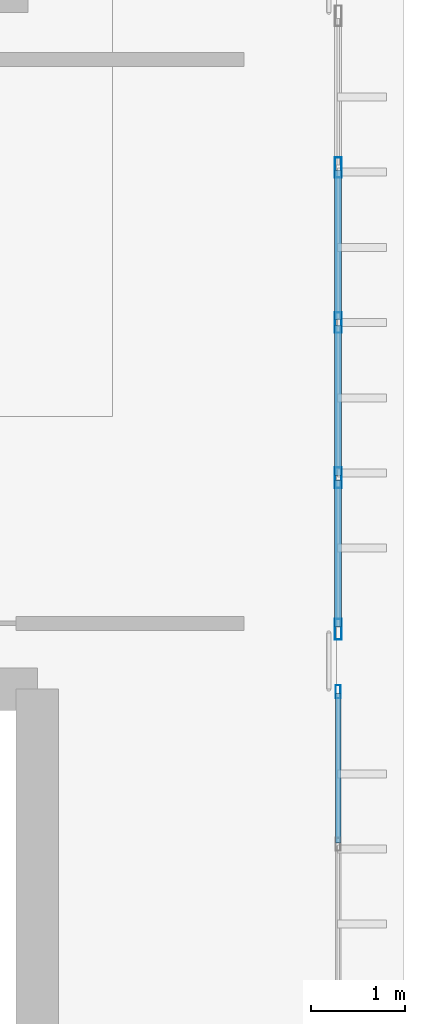
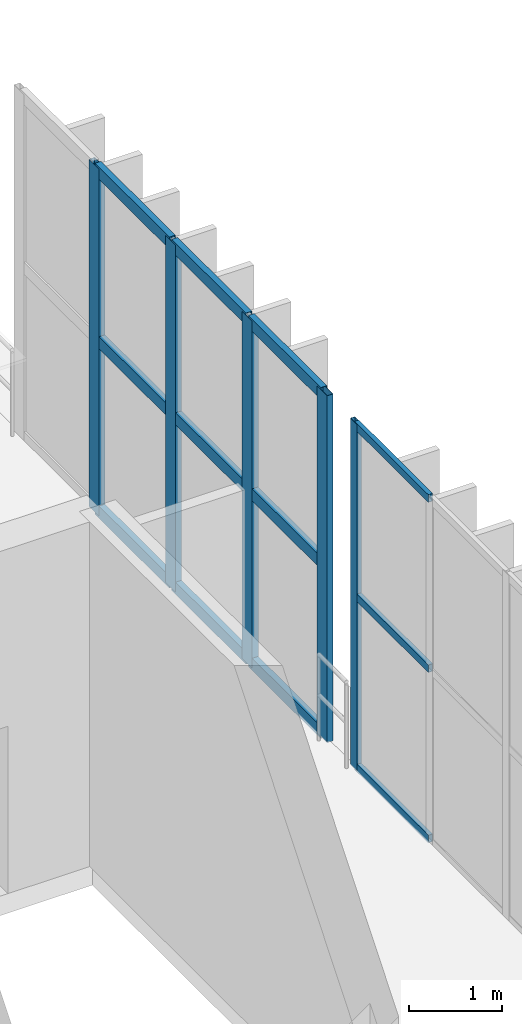
# One storey, part 58 of 105: 17 members, 2 elements without a shape of their own.
"""IFC4 building model written with IfcOpenShell, lengths in metres."""

from ifc_helpers import new_model, si_unit, direction, frame, origin, origin_2d, place, context, subcontext, project, spatial, hollow_rectangle, extrude, material, material_profile, profile_set, type_object, element, aggregate, save


model = new_model("IFC4")

# Units and contexts
model_context = context("Model", 3, precision=1e-05, world=origin(), true_north=direction((0.0, 1.0)))
body_context = subcontext(model_context, "Body", "Model", "MODEL_VIEW")
ifc_project = project(units=[si_unit("LENGTHUNIT", "METRE"), si_unit("AREAUNIT", "SQUARE_METRE"), si_unit("VOLUMEUNIT", "CUBIC_METRE"), si_unit("PLANEANGLEUNIT", "RADIAN"), si_unit("MASSUNIT", "GRAM", prefix="KILO")], contexts=[model_context])

# Site, building, storey
site_placement = place(None, origin())
site = spatial("IfcSite", under=ifc_project, at=site_placement, CompositionType="ELEMENT")
building_placement = place(site_placement, origin())
building = spatial("IfcBuilding", under=site, at=building_placement, Name="Qandorah Velis Arena", CompositionType="ELEMENT")
storey_placement = place(building_placement, frame((0.0, 0.0, 13.800048828125)))
storey = spatial("IfcBuildingStorey", under=building, at=storey_placement, Name="L03", CompositionType="ELEMENT", Elevation=13.800048828125)

# Curtain wall, member
ifc_material_1 = material(Name="Solar-control low-E double glazing", Category="glass")
curtain_wall_type_1 = type_object("IfcCurtainWallType", Name="ARC-CW-SYS08", PredefinedType="USERDEFINED", material=ifc_material_1)
curtain_wall_1_placement = place(storey_placement, origin())
curtain_wall_1 = element("IfcCurtainWall", 1, at=curtain_wall_1_placement, inside=storey, type_object=curtain_wall_type_1, Name="Unitised curtain wall L03-152", ObjectType="UNITISED CURTAIN WALL", PredefinedType="USERDEFINED")
ifc_material_2 = material(Name="Champagne-bronze anodized aluminium 6063-T6", Category="aluminium")
ifc_material_profile_1 = material_profile(ifc_material_2, hollow_rectangle(XDim=0.054931640625, YDim=0.139892578125, WallThickness=0.0029296875, at=origin_2d()), Name="ALU MULLION 55x140")
ifc_profile_set_1 = profile_set([ifc_material_profile_1], Name="Champagne-bronze anodized aluminium 6063-T6")
member_type_1 = type_object("IfcMemberType", Name="ARC-CWM-140", PredefinedType="MULLION", material=ifc_profile_set_1)
member_1_placement = place(storey_placement, frame((169.199951171875, 50.072509765625, -0.01513671875), z_axis=(0.0, 0.0, 1.0), x_axis=(-1.0, 0.0, 0.0)))
member_1 = element("IfcMember", 2, at=member_1_placement, type_object=member_type_1, Name="CW08 mullion 5", PredefinedType="MULLION", context=body_context, shape_type="SweptSolid", body=[
    extrude(hollow_rectangle(XDim=0.054931640625, YDim=0.139892578125, WallThickness=0.0029296875, at=origin_2d()), origin(), (0.0, 0.0, 1.0), 4.56005859375),
])

# Curtain wall, members
curtain_wall_type_2 = type_object("IfcCurtainWallType", Name="ARC-CW-SYS09", PredefinedType="USERDEFINED", material=ifc_material_1)
curtain_wall_2_placement = place(storey_placement, origin())
curtain_wall_2 = element("IfcCurtainWall", 3, at=curtain_wall_2_placement, inside=storey, type_object=curtain_wall_type_2, Name="Unitised curtain wall L03-153", ObjectType="UNITISED CURTAIN WALL", PredefinedType="USERDEFINED")
ifc_material_profile_2 = material_profile(ifc_material_2, hollow_rectangle(XDim=0.074951171875, YDim=0.219970703125, WallThickness=0.00390625, at=origin_2d()), Name="ALU MULLION 75x220")
ifc_profile_set_2 = profile_set([ifc_material_profile_2], Name="Champagne-bronze anodized aluminium 6063-T6")
member_type_2 = type_object("IfcMemberType", Name="ARC-CWM-220", PredefinedType="MULLION", material=ifc_profile_set_2)
member_2_placement = place(storey_placement, frame((169.199951171875, 50.737548828125, -0.01513671875), z_axis=(0.0, 0.0, 1.0), x_axis=(-1.0, 0.0, 0.0)))
member_2 = element("IfcMember", 4, at=member_2_placement, type_object=member_type_2, Name="CW09 mullion 1", PredefinedType="MULLION", context=body_context, shape_type="SweptSolid", body=[
    extrude(hollow_rectangle(XDim=0.074951171875, YDim=0.219970703125, WallThickness=0.00390625, at=origin_2d()), origin(), (0.0, 0.0, 1.0), 4.56005859375),
])
member_3_placement = place(storey_placement, frame((169.199951171875, 52.35009765625, -0.01513671875), z_axis=(0.0, 0.0, 1.0), x_axis=(-1.0, 0.0, 0.0)))
member_3 = element("IfcMember", 5, at=member_3_placement, type_object=member_type_2, Name="CW09 mullion 2", PredefinedType="MULLION", context=body_context, shape_type="SweptSolid", body=[
    extrude(hollow_rectangle(XDim=0.074951171875, YDim=0.219970703125, WallThickness=0.00390625, at=origin_2d()), origin(), (0.0, 0.0, 1.0), 4.56005859375),
])
member_4_placement = place(storey_placement, frame((169.199951171875, 54.0, -0.01513671875), z_axis=(0.0, 0.0, 1.0), x_axis=(-1.0, 0.0, 0.0)))
member_4 = element("IfcMember", 6, at=member_4_placement, type_object=member_type_2, Name="CW09 mullion 3", PredefinedType="MULLION", context=body_context, shape_type="SweptSolid", body=[
    extrude(hollow_rectangle(XDim=0.074951171875, YDim=0.219970703125, WallThickness=0.00390625, at=origin_2d()), origin(), (0.0, 0.0, 1.0), 4.56005859375),
])
member_5_placement = place(storey_placement, frame((169.199951171875, 55.64990234375, -0.01513671875), z_axis=(0.0, 0.0, 1.0), x_axis=(-1.0, 0.0, 0.0)))
member_5 = element("IfcMember", 7, at=member_5_placement, type_object=member_type_2, Name="CW09 mullion 4", PredefinedType="MULLION", context=body_context, shape_type="SweptSolid", body=[
    extrude(hollow_rectangle(XDim=0.074951171875, YDim=0.219970703125, WallThickness=0.00390625, at=origin_2d()), origin(), (0.0, 0.0, 1.0), 4.56005859375),
])

# Member
ifc_material_profile_3 = material_profile(ifc_material_2, hollow_rectangle(XDim=0.054931640625, YDim=0.10009765625, WallThickness=0.0029296875, at=origin_2d()), Name="ALU TRANSOM 55x100")
ifc_profile_set_3 = profile_set([ifc_material_profile_3], Name="Champagne-bronze anodized aluminium 6063-T6")
member_type_3 = type_object("IfcMemberType", Name="ARC-CWT-100", PredefinedType="USERDEFINED", material=ifc_profile_set_3)
member_6_placement = place(storey_placement, frame((169.199951171875, 48.465576171875, 0.02734375), z_axis=(0.0, 1.0, 0.0), x_axis=(-1.0, 0.0, 0.0)))
member_6 = element("IfcMember", 8, at=member_6_placement, type_object=member_type_3, Name="CW08 transom 4.1", ObjectType="TRANSOM", PredefinedType="USERDEFINED", context=body_context, shape_type="SweptSolid", body=[
    extrude(hollow_rectangle(XDim=0.054931640625, YDim=0.10009765625, WallThickness=0.0029296875, at=origin_2d()), origin(), (0.0, 0.0, 1.0), 1.59130859375),
])

member_7_placement = place(storey_placement, frame((169.199951171875, 48.465576171875, 2.264892578125), z_axis=(0.0, 1.0, 0.0), x_axis=(-1.0, 0.0, 0.0)))
member_7 = element("IfcMember", 9, at=member_7_placement, type_object=member_type_3, Name="CW08 transom 4.2", ObjectType="TRANSOM", PredefinedType="USERDEFINED", context=body_context, shape_type="SweptSolid", body=[
    extrude(hollow_rectangle(XDim=0.054931640625, YDim=0.10009765625, WallThickness=0.0029296875, at=origin_2d()), origin(), (0.0, 0.0, 1.0), 1.59130859375),
])

member_8_placement = place(storey_placement, frame((169.199951171875, 48.465576171875, 4.50244140625), z_axis=(0.0, 1.0, 0.0), x_axis=(-1.0, 0.0, 0.0)))
member_8 = element("IfcMember", 10, at=member_8_placement, type_object=member_type_3, Name="CW08 transom 4.3", ObjectType="TRANSOM", PredefinedType="USERDEFINED", context=body_context, shape_type="SweptSolid", body=[
    extrude(hollow_rectangle(XDim=0.054931640625, YDim=0.10009765625, WallThickness=0.0029296875, at=origin_2d()), origin(), (0.0, 0.0, 1.0), 1.59130859375),
])

aggregate(curtain_wall_1, [member_1, member_6, member_7, member_8])

ifc_material_profile_4 = material_profile(ifc_material_2, hollow_rectangle(XDim=0.074951171875, YDim=0.159912109375, WallThickness=0.00341796875, at=origin_2d()), Name="ALU TRANSOM 75x160")
ifc_profile_set_4 = profile_set([ifc_material_profile_4], Name="Champagne-bronze anodized aluminium 6063-T6")
member_type_4 = type_object("IfcMemberType", Name="ARC-CWT-160", PredefinedType="USERDEFINED", material=ifc_profile_set_4)
member_9_placement = place(storey_placement, frame((169.199951171875, 50.762939453125, 0.037353515625), z_axis=(0.0, 1.0, 0.0), x_axis=(-1.0, 0.0, 0.0)))
member_9 = element("IfcMember", 11, at=member_9_placement, type_object=member_type_4, Name="CW09 transom 1.1", ObjectType="TRANSOM", PredefinedType="USERDEFINED", context=body_context, shape_type="SweptSolid", body=[
    extrude(hollow_rectangle(XDim=0.074951171875, YDim=0.159912109375, WallThickness=0.00341796875, at=origin_2d()), origin(), (0.0, 0.0, 1.0), 1.5615234375),
])

member_10_placement = place(storey_placement, frame((169.199951171875, 50.762939453125, 2.264892578125), z_axis=(0.0, 1.0, 0.0), x_axis=(-1.0, 0.0, 0.0)))
member_10 = element("IfcMember", 12, at=member_10_placement, type_object=member_type_4, Name="CW09 transom 1.2", ObjectType="TRANSOM", PredefinedType="USERDEFINED", context=body_context, shape_type="SweptSolid", body=[
    extrude(hollow_rectangle(XDim=0.074951171875, YDim=0.159912109375, WallThickness=0.00341796875, at=origin_2d()), origin(), (0.0, 0.0, 1.0), 1.5615234375),
])

member_11_placement = place(storey_placement, frame((169.199951171875, 50.762939453125, 4.492431640625), z_axis=(0.0, 1.0, 0.0), x_axis=(-1.0, 0.0, 0.0)))
member_11 = element("IfcMember", 13, at=member_11_placement, type_object=member_type_4, Name="CW09 transom 1.3", ObjectType="TRANSOM", PredefinedType="USERDEFINED", context=body_context, shape_type="SweptSolid", body=[
    extrude(hollow_rectangle(XDim=0.074951171875, YDim=0.159912109375, WallThickness=0.00341796875, at=origin_2d()), origin(), (0.0, 0.0, 1.0), 1.5615234375),
])

member_12_placement = place(storey_placement, frame((169.199951171875, 52.37548828125, 0.037353515625), z_axis=(0.0, 1.0, 0.0), x_axis=(-1.0, 0.0, 0.0)))
member_12 = element("IfcMember", 14, at=member_12_placement, type_object=member_type_4, Name="CW09 transom 2.1", ObjectType="TRANSOM", PredefinedType="USERDEFINED", context=body_context, shape_type="SweptSolid", body=[
    extrude(hollow_rectangle(XDim=0.074951171875, YDim=0.159912109375, WallThickness=0.00341796875, at=origin_2d()), origin(), (0.0, 0.0, 1.0), 1.59912109375),
])

member_13_placement = place(storey_placement, frame((169.199951171875, 52.37548828125, 2.264892578125), z_axis=(0.0, 1.0, 0.0), x_axis=(-1.0, 0.0, 0.0)))
member_13 = element("IfcMember", 15, at=member_13_placement, type_object=member_type_4, Name="CW09 transom 2.2", ObjectType="TRANSOM", PredefinedType="USERDEFINED", context=body_context, shape_type="SweptSolid", body=[
    extrude(hollow_rectangle(XDim=0.074951171875, YDim=0.159912109375, WallThickness=0.00341796875, at=origin_2d()), origin(), (0.0, 0.0, 1.0), 1.59912109375),
])

member_14_placement = place(storey_placement, frame((169.199951171875, 52.37548828125, 4.492431640625), z_axis=(0.0, 1.0, 0.0), x_axis=(-1.0, 0.0, 0.0)))
member_14 = element("IfcMember", 16, at=member_14_placement, type_object=member_type_4, Name="CW09 transom 2.3", ObjectType="TRANSOM", PredefinedType="USERDEFINED", context=body_context, shape_type="SweptSolid", body=[
    extrude(hollow_rectangle(XDim=0.074951171875, YDim=0.159912109375, WallThickness=0.00341796875, at=origin_2d()), origin(), (0.0, 0.0, 1.0), 1.59912109375),
])

member_15_placement = place(storey_placement, frame((169.199951171875, 54.025390625, 0.037353515625), z_axis=(0.0, 1.0, 0.0), x_axis=(-1.0, 0.0, 0.0)))
member_15 = element("IfcMember", 17, at=member_15_placement, type_object=member_type_4, Name="CW09 transom 3.1", ObjectType="TRANSOM", PredefinedType="USERDEFINED", context=body_context, shape_type="SweptSolid", body=[
    extrude(hollow_rectangle(XDim=0.074951171875, YDim=0.159912109375, WallThickness=0.00341796875, at=origin_2d()), origin(), (0.0, 0.0, 1.0), 1.59912109375),
])

member_16_placement = place(storey_placement, frame((169.199951171875, 54.025390625, 2.264892578125), z_axis=(0.0, 1.0, 0.0), x_axis=(-1.0, 0.0, 0.0)))
member_16 = element("IfcMember", 18, at=member_16_placement, type_object=member_type_4, Name="CW09 transom 3.2", ObjectType="TRANSOM", PredefinedType="USERDEFINED", context=body_context, shape_type="SweptSolid", body=[
    extrude(hollow_rectangle(XDim=0.074951171875, YDim=0.159912109375, WallThickness=0.00341796875, at=origin_2d()), origin(), (0.0, 0.0, 1.0), 1.59912109375),
])

member_17_placement = place(storey_placement, frame((169.199951171875, 54.025390625, 4.492431640625), z_axis=(0.0, 1.0, 0.0), x_axis=(-1.0, 0.0, 0.0)))
member_17 = element("IfcMember", 19, at=member_17_placement, type_object=member_type_4, Name="CW09 transom 3.3", ObjectType="TRANSOM", PredefinedType="USERDEFINED", context=body_context, shape_type="SweptSolid", body=[
    extrude(hollow_rectangle(XDim=0.074951171875, YDim=0.159912109375, WallThickness=0.00341796875, at=origin_2d()), origin(), (0.0, 0.0, 1.0), 1.59912109375),
])

aggregate(curtain_wall_2, [member_2, member_3, member_4, member_5, member_9, member_10, member_11, member_12, member_13, member_14, member_15, member_16, member_17])

save(model, "model.ifc")
